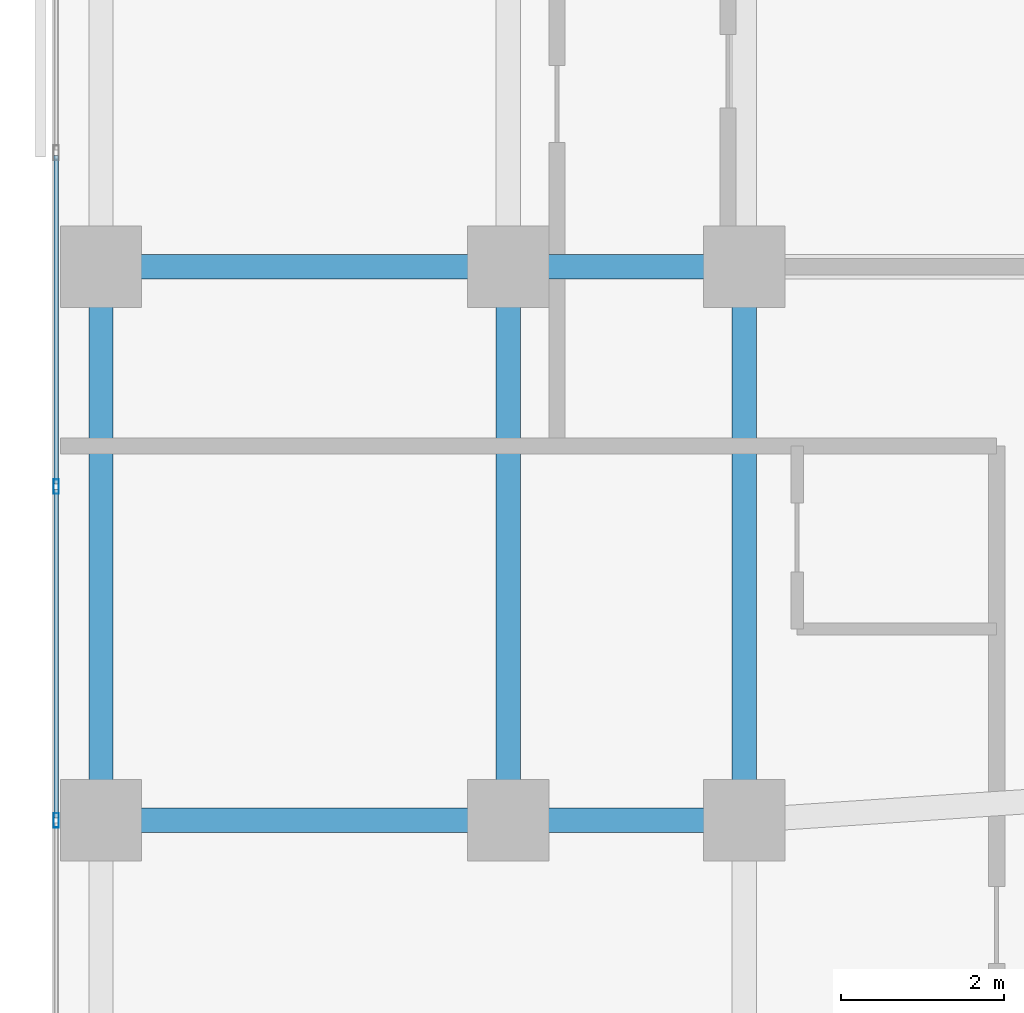
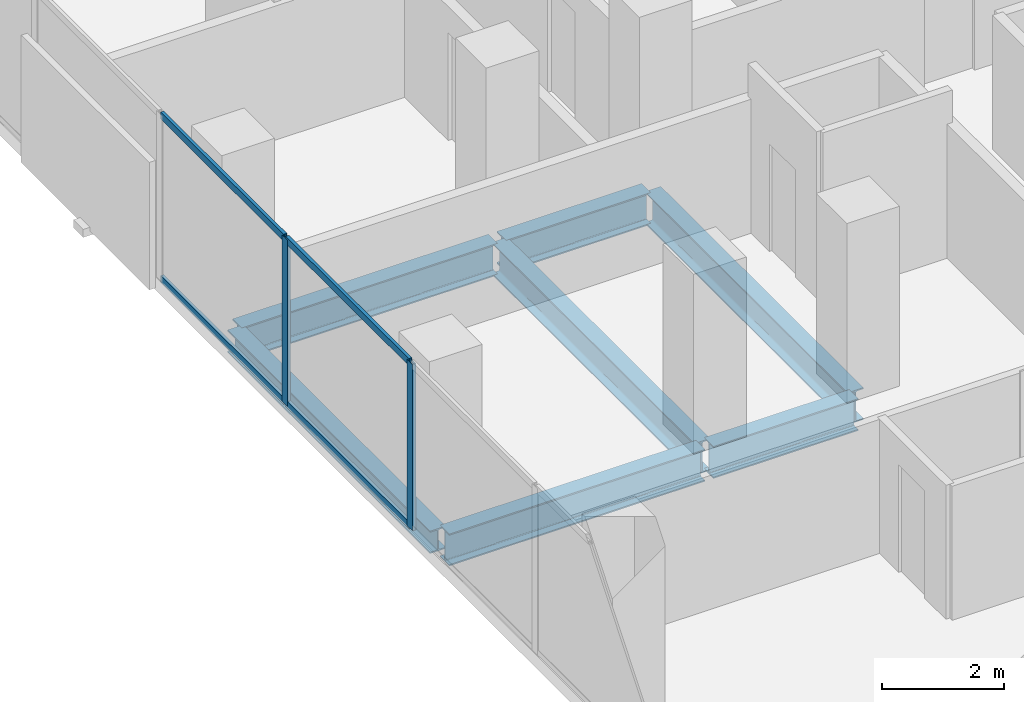
# One storey, part 10 of 32: 7 beams, 6 members, 1 element without a shape of its own.
"""IFC4 building model written with IfcOpenShell, lengths in metres."""

import ifcopenshell
import ifcopenshell.guid

model = None  # the IFC model being written
_history = None  # IfcOwnerHistory: only IFC2X3 demands one
_inside = {}  # id of a spatial element -> (the spatial element, [elements in it])
_under = {}  # id of a project, library or spatial element -> (it, [spatial elements below it])
_declared = {}  # id of a project -> (the project, [libraries it declares])
_typed = {}  # id of a type object -> (the type object, [elements of that type])
_made_of = {}  # id of a material, layer set ... -> (it, [elements and type objects made of it])


def new_model(schema):
    """Start an empty IFC model of exactly this schema.

    Asked for "IFC4X3", IfcOpenShell would pick the latest addendum, in which some entities
    have other attributes; the version numbers below select the first issue.
    IFC2X3 requires an IfcOwnerHistory on every rooted entity: one is made here for all.
    """
    global model, _history
    if schema == "IFC4X3":
        model = ifcopenshell.file(schema_version=(4, 3, 0, 0))
    else:
        model = ifcopenshell.file(schema=schema)
    _inside.clear()
    _under.clear()
    _declared.clear()
    _typed.clear()
    _made_of.clear()
    _history = None
    if model.schema == "IFC2X3":
        org = make("IfcOrganization", Name="unknown")
        user = make(
            "IfcPersonAndOrganization",
            ThePerson=make("IfcPerson", FamilyName="unknown"),
            TheOrganization=org,
        )
        app = make(
            "IfcApplication",
            ApplicationDeveloper=org,
            Version="unknown",
            ApplicationFullName="unknown",
            ApplicationIdentifier="unknown",
        )
        _history = make(
            "IfcOwnerHistory",
            OwningUser=user,
            OwningApplication=app,
            ChangeAction="ADDED",
            CreationDate=0,
        )
    return model


def make(cls, **values):
    """One entity of the class cls with the attributes given. An attribute that is None is left unset."""
    return model.create_entity(
        cls, **{name: value for name, value in values.items() if value is not None}
    )


def rooted(cls, **values):
    """An entity with a GlobalId (a new one), such as an element, a storey or a relation."""
    return make(cls, GlobalId=ifcopenshell.guid.new(), OwnerHistory=_history, **values)


def si_unit(unit_type, name, prefix=None):
    """IfcSIUnit, for example si_unit("LENGTHUNIT", "METRE", prefix="MILLI")."""
    return make("IfcSIUnit", UnitType=unit_type, Prefix=prefix, Name=name)


def assignment(units):
    """IfcUnitAssignment: the units of a project."""
    return None if units is None else make("IfcUnitAssignment", Units=units)


def point(xyz):
    """IfcCartesianPoint."""
    return None if xyz is None else make("IfcCartesianPoint", Coordinates=xyz)


def direction(xyz):
    """IfcDirection."""
    return None if xyz is None else make("IfcDirection", DirectionRatios=xyz)


def frame(location, z_axis=None, x_axis=None):
    """IfcAxis2Placement3D, a coordinate frame: its origin and axes. An axis left out is left unset."""
    return make(
        "IfcAxis2Placement3D",
        Location=point(location),
        Axis=direction(z_axis),
        RefDirection=direction(x_axis),
    )


def frame_2d(location, x_axis=None):
    """IfcAxis2Placement2D, a coordinate frame in the plane: its origin and x axis."""
    return make(
        "IfcAxis2Placement2D", Location=point(location), RefDirection=direction(x_axis)
    )


def origin():
    """The frame at (0, 0, 0) with its axes left unset."""
    return frame((0.0, 0.0, 0.0))


def origin_2d():
    """The frame at (0, 0) in the plane with its x axis left unset."""
    return frame_2d((0.0, 0.0))


def place(relative_to, where):
    """IfcLocalPlacement: puts the frame where relative to a parent placement (None: the world)."""
    return make(
        "IfcLocalPlacement", PlacementRelTo=relative_to, RelativePlacement=where
    )


def context(
    kind, dimensions, precision=None, world=None, true_north=None, identifier=None
):
    """IfcGeometricRepresentationContext, for example the 3D "Model" context."""
    return make(
        "IfcGeometricRepresentationContext",
        ContextIdentifier=identifier,
        ContextType=kind,
        CoordinateSpaceDimension=dimensions,
        Precision=precision,
        WorldCoordinateSystem=world,
        TrueNorth=true_north,
    )


def subcontext(parent, identifier, kind, view, scale=None):
    """IfcGeometricRepresentationSubContext, for example "Body" below "Model"."""
    return make(
        "IfcGeometricRepresentationSubContext",
        ContextIdentifier=identifier,
        ContextType=kind,
        ParentContext=parent,
        TargetScale=scale,
        TargetView=view,
    )


def project(units=None, contexts=None):
    """IfcProject with its units and contexts."""
    return rooted(
        "IfcProject",
        Name="project",
        RepresentationContexts=contexts,
        UnitsInContext=assignment(units),
    )


def spatial(cls, under=None, at=None, **own):
    """A site, building, storey or space (cls), placed at a placement, below another one or the project."""
    s = rooted(cls, ObjectPlacement=at, **own)
    if under is not None:
        _under.setdefault(under.id(), (under, []))[1].append(s)
    return s


def profile(cls, at=None, kind="AREA", **sizes):
    """A parametric profile (cls). Its sizes go by their IFC names, for example OverallWidth=200.0."""
    return make(cls, ProfileType=kind, Position=at, **sizes)


def hollow_rectangle(**sizes):
    """IfcRectangleHollowProfileDef."""
    return profile("IfcRectangleHollowProfileDef", **sizes)


def i_section(**sizes):
    """IfcIShapeProfileDef."""
    return profile("IfcIShapeProfileDef", **sizes)


def extrude(swept, where, along, depth):
    """IfcExtrudedAreaSolid: the profile swept, set in the frame where, extruded along a direction by depth."""
    return make(
        "IfcExtrudedAreaSolid",
        SweptArea=swept,
        Position=where,
        ExtrudedDirection=direction(along),
        Depth=depth,
    )


def shape(context_of_items, identifier, shape_type, items):
    """IfcShapeRepresentation: the items that make up one representation, for example the "Body"."""
    return make(
        "IfcShapeRepresentation",
        ContextOfItems=context_of_items,
        RepresentationIdentifier=identifier,
        RepresentationType=shape_type,
        Items=items,
    )


def material(Name=None, Category=None):
    """IfcMaterial."""
    return make("IfcMaterial", Name=Name, Category=Category)


def layer(
    of_material, thickness, ventilated=None, Name=None, Category=None, Priority=None
):
    """IfcMaterialLayer: one layer of a wall or slab, of a material (None: an air gap)."""
    return make(
        "IfcMaterialLayer",
        Material=of_material,
        LayerThickness=thickness,
        IsVentilated=ventilated,
        Name=Name,
        Category=Category,
        Priority=Priority,
    )


def layer_set(layers, Name=None):
    """IfcMaterialLayerSet."""
    return make("IfcMaterialLayerSet", MaterialLayers=layers, LayerSetName=Name)


def material_profile(
    of_material, cross_section, Name=None, Category=None, Priority=None
):
    """IfcMaterialProfile: a cross section and its material."""
    return make(
        "IfcMaterialProfile",
        Name=Name,
        Material=of_material,
        Profile=cross_section,
        Priority=Priority,
        Category=Category,
    )


def profile_set(profiles, Name=None, composite=None):
    """IfcMaterialProfileSet."""
    return make(
        "IfcMaterialProfileSet",
        Name=Name,
        MaterialProfiles=profiles,
        CompositeProfile=composite,
    )


def made_of(thing, what):
    """Note that an element or type object is made of a material, layer set ...; save() writes the relation."""
    if what is not None:
        _made_of.setdefault(what.id(), (what, []))[1].append(thing)
    return thing


def type_object(cls, material=None, **own):
    """A type object (cls), such as IfcWallType, which elements share."""
    return made_of(rooted(cls, **own), material)


def element(
    cls,
    number,
    at=None,
    inside=None,
    cuts=None,
    type_object=None,
    material=None,
    context=None,
    identifier="Body",
    shape_type=None,
    held_by="IfcProductDefinitionShape",
    body=None,
    shapes=None,
    **own,
):
    """One element of the class cls, such as IfcWall. Its Tag is "e" and its number.

    at: its placement. inside: the storey or other place that contains it. cuts: it is an
    opening in that element (IfcRelVoidsElement). A single representation is given by context,
    identifier, shape_type and body (its items); several are given by shapes. held_by: the class
    of the entity that holds the representations. save() writes the other relations.
    """
    e = rooted(cls, Tag="e%d" % number, ObjectPlacement=at, **own)
    if body is not None:
        shapes = [shape(context, identifier, shape_type, body)]
    if shapes is not None:
        e.Representation = make(held_by, Representations=shapes)
    if inside is not None:
        _inside.setdefault(inside.id(), (inside, []))[1].append(e)
    if cuts is not None:
        rooted(
            "IfcRelVoidsElement", RelatingBuildingElement=cuts, RelatedOpeningElement=e
        )
    if type_object is not None:
        _typed.setdefault(type_object.id(), (type_object, []))[1].append(e)
    return made_of(e, material)


def aggregate(whole, parts):
    """IfcRelAggregates: a whole, such as a stair, and the parts it consists of."""
    return rooted("IfcRelAggregates", RelatingObject=whole, RelatedObjects=parts)


def save(model, path):
    """Write the relations noted so far, then the file.

    IfcRelAggregates (storeys below a building ...), IfcRelContainedInSpatialStructure (elements
    in a storey), IfcRelDefinesByType, IfcRelAssociatesMaterial and IfcRelDeclares: one each for
    every whole, place, type object, material and project.
    """
    for whole, parts in _under.values():
        aggregate(whole, parts)
    for where, things in _inside.values():
        rooted(
            "IfcRelContainedInSpatialStructure",
            RelatedElements=things,
            RelatingStructure=where,
        )
    for kind, things in _typed.values():
        rooted("IfcRelDefinesByType", RelatedObjects=things, RelatingType=kind)
    for what, things in _made_of.values():
        rooted("IfcRelAssociatesMaterial", RelatedObjects=things, RelatingMaterial=what)
    for by, libraries in _declared.values():
        rooted("IfcRelDeclares", RelatingContext=by, RelatedDefinitions=libraries)
    model.write(path)


model = new_model("IFC4")

# Units and contexts
model_context = context("Model", 3, precision=1e-05, world=origin(), true_north=direction((0.0, 1.0)))
body_context = subcontext(model_context, "Body", "Model", "MODEL_VIEW")
ifc_project = project(units=[si_unit("LENGTHUNIT", "METRE"), si_unit("AREAUNIT", "SQUARE_METRE"), si_unit("VOLUMEUNIT", "CUBIC_METRE"), si_unit("PLANEANGLEUNIT", "RADIAN"), si_unit("MASSUNIT", "GRAM", prefix="KILO")], contexts=[model_context])

# Site, building, storey
site_placement = place(None, origin())
site = spatial("IfcSite", under=ifc_project, at=site_placement, CompositionType="ELEMENT")
building_placement = place(site_placement, origin())
building = spatial("IfcBuilding", under=site, at=building_placement, Name="Catumbela Crestline Tower", CompositionType="ELEMENT")
storey_placement = place(building_placement, frame((0.0, 0.0, 33.0)))
storey = spatial("IfcBuildingStorey", under=building, at=storey_placement, Name="L07", CompositionType="ELEMENT", Elevation=33.0)

# Beams
ifc_material_1 = material(Name="Structural steel S355J2", Category="steel")
ifc_material_profile_1 = material_profile(ifc_material_1, i_section(OverallWidth=0.3, OverallDepth=0.64, WebThickness=0.0135, FlangeThickness=0.026, FilletRadius=0.027, at=origin_2d()), Name="HEA 650")
ifc_profile_set_1 = profile_set([ifc_material_profile_1], Name="Structural steel S355J2")
beam_type_1 = type_object("IfcBeamType", Name="BG-HEA650", PredefinedType="BEAM", material=ifc_profile_set_1)
beam_1_placement = place(storey_placement, frame((0.68, 24.0, -0.58), z_axis=(1.0, 0.0, 0.0), x_axis=(0.0, 1.0, 0.0)))
element("IfcBeam", 1, at=beam_1_placement, inside=storey, type_object=beam_type_1, Name="L07 Beam BM-L07-S01", PredefinedType="BEAM", context=body_context, shape_type="SweptSolid", body=[
    extrude(i_section(OverallWidth=0.3, OverallDepth=0.64, WebThickness=0.0135, FlangeThickness=0.026, FilletRadius=0.027, at=origin_2d()), origin(), (0.0, 0.0, 1.0), 4.84),
])
beam_2_placement = place(storey_placement, frame((5.68, 24.0, -0.58), z_axis=(1.0, 0.0, 0.0), x_axis=(0.0, 1.0, 0.0)))
element("IfcBeam", 2, at=beam_2_placement, inside=storey, type_object=beam_type_1, Name="L07 Beam BM-L07-S02", PredefinedType="BEAM", context=body_context, shape_type="SweptSolid", body=[
    extrude(i_section(OverallWidth=0.3, OverallDepth=0.64, WebThickness=0.0135, FlangeThickness=0.026, FilletRadius=0.027, at=origin_2d()), origin(), (0.0, 0.0, 1.0), 2.74),
])
beam_3_placement = place(storey_placement, frame((0.68, 30.8, -0.58), z_axis=(1.0, 0.0, 0.0), x_axis=(0.0, 1.0, 0.0)))
element("IfcBeam", 3, at=beam_3_placement, inside=storey, type_object=beam_type_1, Name="L07 Beam BM-L07-M07", PredefinedType="BEAM", context=body_context, shape_type="SweptSolid", body=[
    extrude(i_section(OverallWidth=0.3, OverallDepth=0.64, WebThickness=0.0135, FlangeThickness=0.026, FilletRadius=0.027, at=origin_2d()), origin(), (0.0, 0.0, 1.0), 4.84),
])
beam_4_placement = place(storey_placement, frame((5.68, 30.8, -0.58), z_axis=(1.0, 0.0, 0.0), x_axis=(0.0, 1.0, 0.0)))
element("IfcBeam", 4, at=beam_4_placement, inside=storey, type_object=beam_type_1, Name="L07 Beam BM-L07-M08", PredefinedType="BEAM", context=body_context, shape_type="SweptSolid", body=[
    extrude(i_section(OverallWidth=0.3, OverallDepth=0.64, WebThickness=0.0135, FlangeThickness=0.026, FilletRadius=0.027, at=origin_2d()), origin(), (0.0, 0.0, 1.0), 2.74),
])
for number, where, z_axis, x_axis, name in (
    (5, (5.6, 24.08, -0.58), (0.0, 1.0, 0.0), (-1.0, 0.0, 0.0), "L07 Beam BM-L07-SN27"),
    (6, (8.5, 24.08, -0.58), (0.0, 1.0, 0.0), (-1.0, 0.0, 0.0), "L07 Beam BM-L07-SN29"),
):
    element("IfcBeam", number, at=place(storey_placement, frame(where, z_axis=z_axis, x_axis=x_axis)), inside=storey, type_object=beam_type_1, Name=name, PredefinedType="BEAM", context=body_context, shape_type="SweptSolid", body=[
        extrude(i_section(OverallWidth=0.3, OverallDepth=0.64, WebThickness=0.0135, FlangeThickness=0.026, FilletRadius=0.027, at=origin_2d()), origin(), (0.0, 0.0, 1.0), 6.64),
    ])

# Curtain wall, members
ifc_material_2 = material(Name="Aluminium alloy AW-6060-T66", Category="aluminium")
ifc_layer = layer(ifc_material_2, 0.18, Name="Aluminium alloy AW-6060-T66")
ifc_layer_set = layer_set([ifc_layer], Name="Aluminium alloy AW-6060-T66")
curtain_wall_type = type_object("IfcCurtainWallType", Name="CWU-Z1", PredefinedType="USERDEFINED", material=ifc_layer_set)
curtain_wall_placement = place(storey_placement, origin())
curtain_wall = element("IfcCurtainWall", 7, at=curtain_wall_placement, inside=storey, type_object=curtain_wall_type, Name="L07 Unitised Curtain Wall CW-L07-E9S1", ObjectType="UNITISED", PredefinedType="USERDEFINED")
ifc_material_profile_2 = material_profile(ifc_material_2, hollow_rectangle(XDim=0.065, YDim=0.18, WallThickness=0.004, at=origin_2d()), Name="ALU 180x65x4")
ifc_profile_set_2 = profile_set([ifc_material_profile_2], Name="Aluminium alloy AW-6060-T66")
member_type_1 = type_object("IfcMemberType", Name="MUL-180X65", PredefinedType="MULLION", material=ifc_profile_set_2)
member_1_placement = place(storey_placement, frame((0.05, 28.1, 0.0), z_axis=(0.0, 0.0, 1.0), x_axis=(1.0, 0.0, 0.0)))
member_1 = element("IfcMember", 8, at=member_1_placement, type_object=member_type_1, Name="CWU-Z1 mullion 5", PredefinedType="MULLION", context=body_context, shape_type="SweptSolid", body=[
    extrude(hollow_rectangle(XDim=0.065, YDim=0.18, WallThickness=0.004, at=origin_2d()), origin(), (0.0, 0.0, 1.0), 3.33),
])
member_2_placement = place(storey_placement, frame((0.05, 24.0, 0.0), z_axis=(0.0, 0.0, 1.0), x_axis=(1.0, 0.0, 0.0)))
member_2 = element("IfcMember", 9, at=member_2_placement, type_object=member_type_1, Name="CWU-Z1 mullion 6", PredefinedType="MULLION", context=body_context, shape_type="SweptSolid", body=[
    extrude(hollow_rectangle(XDim=0.065, YDim=0.18, WallThickness=0.004, at=origin_2d()), origin(), (0.0, 0.0, 1.0), 3.33),
])

# Beam
ifc_material_profile_3 = material_profile(ifc_material_1, i_section(OverallWidth=0.3, OverallDepth=0.45, WebThickness=0.014, FlangeThickness=0.026, FilletRadius=0.027, at=origin_2d()), Name="HEB 450")
ifc_profile_set_3 = profile_set([ifc_material_profile_3], Name="Structural steel S355J2")
beam_type_2 = type_object("IfcBeamType", Name="BS-HEB450", PredefinedType="SPANDREL", material=ifc_profile_set_3)
beam_5_placement = place(storey_placement, frame((0.6, 24.08, -0.485), z_axis=(0.0, 1.0, 0.0), x_axis=(-1.0, 0.0, 0.0)))
element("IfcBeam", 10, at=beam_5_placement, inside=storey, type_object=beam_type_2, Name="L07 Spandrel SP-L07-SN25", PredefinedType="SPANDREL", context=body_context, shape_type="SweptSolid", body=[
    extrude(i_section(OverallWidth=0.3, OverallDepth=0.45, WebThickness=0.014, FlangeThickness=0.026, FilletRadius=0.027, at=origin_2d()), origin(), (0.0, 0.0, 1.0), 6.64),
])

# Member
ifc_material_profile_4 = material_profile(ifc_material_2, hollow_rectangle(XDim=0.06, YDim=0.14, WallThickness=0.004, at=origin_2d()), Name="ALU 140x60x4")
ifc_profile_set_4 = profile_set([ifc_material_profile_4], Name="Aluminium alloy AW-6060-T66")
member_type_2 = type_object("IfcMemberType", Name="TRN-140X60", PredefinedType="USERDEFINED", material=ifc_profile_set_4)
member_3_placement = place(storey_placement, frame((0.05, 32.1675, 0.03), z_axis=(0.0, -1.0, 0.0), x_axis=(1.0, 0.0, 0.0)))
member_3 = element("IfcMember", 11, at=member_3_placement, type_object=member_type_2, Name="CWU-Z1 transom 4.1", ObjectType="TRANSOM", PredefinedType="USERDEFINED", context=body_context, shape_type="SweptSolid", body=[
    extrude(hollow_rectangle(XDim=0.06, YDim=0.14, WallThickness=0.004, at=origin_2d()), origin(), (0.0, 0.0, 1.0), 4.035),
])

member_4_placement = place(storey_placement, frame((0.05, 32.1675, 3.3), z_axis=(0.0, -1.0, 0.0), x_axis=(1.0, 0.0, 0.0)))
member_4 = element("IfcMember", 12, at=member_4_placement, type_object=member_type_2, Name="CWU-Z1 transom 4.2", ObjectType="TRANSOM", PredefinedType="USERDEFINED", context=body_context, shape_type="SweptSolid", body=[
    extrude(hollow_rectangle(XDim=0.06, YDim=0.14, WallThickness=0.004, at=origin_2d()), origin(), (0.0, 0.0, 1.0), 4.035),
])

member_5_placement = place(storey_placement, frame((0.05, 28.0675, 0.03), z_axis=(0.0, -1.0, 0.0), x_axis=(1.0, 0.0, 0.0)))
member_5 = element("IfcMember", 13, at=member_5_placement, type_object=member_type_2, Name="CWU-Z1 transom 5.1", ObjectType="TRANSOM", PredefinedType="USERDEFINED", context=body_context, shape_type="SweptSolid", body=[
    extrude(hollow_rectangle(XDim=0.06, YDim=0.14, WallThickness=0.004, at=origin_2d()), origin(), (0.0, 0.0, 1.0), 4.035),
])

member_6_placement = place(storey_placement, frame((0.05, 28.0675, 3.3), z_axis=(0.0, -1.0, 0.0), x_axis=(1.0, 0.0, 0.0)))
member_6 = element("IfcMember", 14, at=member_6_placement, type_object=member_type_2, Name="CWU-Z1 transom 5.2", ObjectType="TRANSOM", PredefinedType="USERDEFINED", context=body_context, shape_type="SweptSolid", body=[
    extrude(hollow_rectangle(XDim=0.06, YDim=0.14, WallThickness=0.004, at=origin_2d()), origin(), (0.0, 0.0, 1.0), 4.035),
])

aggregate(curtain_wall, [member_1, member_2, member_3, member_4, member_5, member_6])

save(model, "model.ifc")
